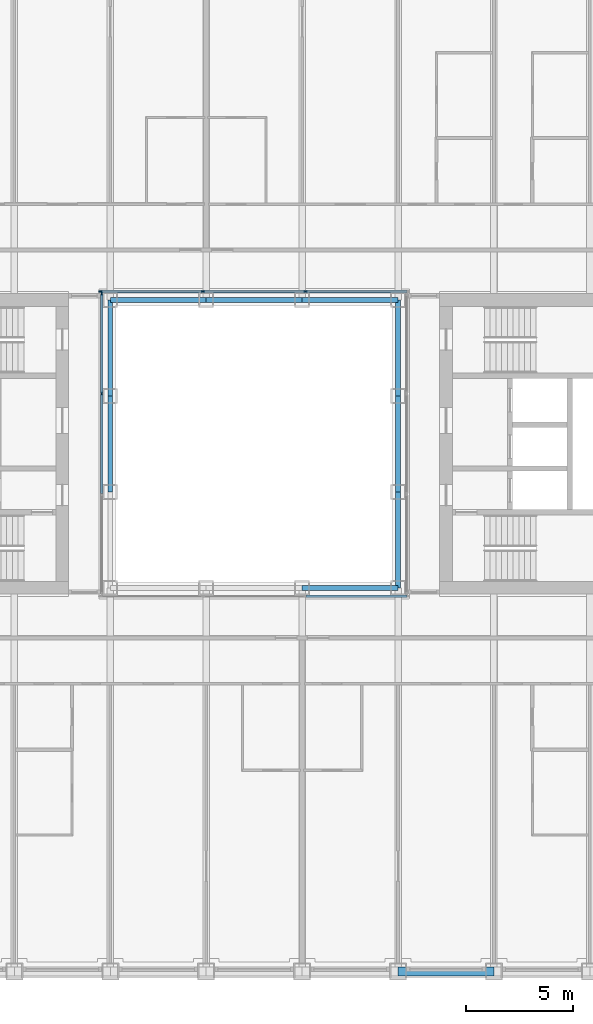
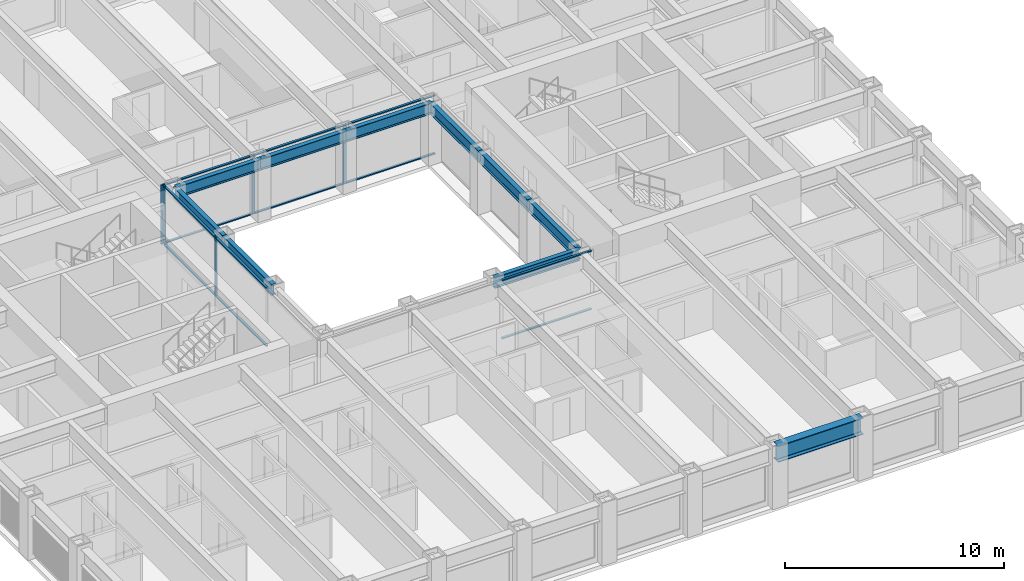
# One storey, part 4 of 21: 17 members, 10 beams, 3 elements without a shape of their own.
"""IFC4 building model written with IfcOpenShell, lengths in metres."""

from ifc_helpers import new_model, si_unit, direction, frame, origin, origin_2d, place, context, subcontext, project, spatial, rectangle, i_section, extrude, material, material_profile, profile_set, type_object, element, aggregate, save


model = new_model("IFC4")

# Units and contexts
model_context = context("Model", 3, precision=1e-05, world=origin(), true_north=direction((0.0, 1.0)))
body_context = subcontext(model_context, "Body", "Model", "MODEL_VIEW")
ifc_project = project(units=[si_unit("LENGTHUNIT", "METRE"), si_unit("AREAUNIT", "SQUARE_METRE"), si_unit("VOLUMEUNIT", "CUBIC_METRE"), si_unit("PLANEANGLEUNIT", "RADIAN"), si_unit("MASSUNIT", "GRAM", prefix="KILO")], contexts=[model_context])

# Site, building, storey
site_placement = place(None, origin())
site = spatial("IfcSite", under=ifc_project, at=site_placement, CompositionType="ELEMENT")
building_placement = place(site_placement, origin())
building = spatial("IfcBuilding", under=site, at=building_placement, Name="Msasa Ring Tower", CompositionType="ELEMENT")
storey_placement = place(building_placement, frame((0.0, 0.0, 82.5)))
storey = spatial("IfcBuildingStorey", under=building, at=storey_placement, Name="L21", CompositionType="ELEMENT", Elevation=82.5)

# Curtain wall, members
ifc_material_1 = material(Name="Aluminium curtain wall with clear glass", Category="aluminium")
curtain_wall_type = type_object("IfcCurtainWallType", Name="CW-W LIGHT WELL CURTAIN WALL", PredefinedType="NOTDEFINED", material=ifc_material_1)
curtain_wall_1_placement = place(storey_placement, origin())
curtain_wall_1 = element("IfcCurtainWall", 1, at=curtain_wall_1_placement, inside=storey, type_object=curtain_wall_type, Name="Light well curtain wall N L21", PredefinedType="NOTDEFINED")
ifc_material_2 = material(Name="Aluminium mullion", Category="aluminium")
ifc_material_profile_1 = material_profile(ifc_material_2, rectangle(XDim=0.06005859375, YDim=0.159912109375, at=origin_2d()), Name="AL 60x160")
ifc_profile_set_1 = profile_set([ifc_material_profile_1], Name="Aluminium mullion")
member_type_1 = type_object("IfcMemberType", Name="CW-W MULLION 60x160", PredefinedType="MULLION", material=ifc_profile_set_1)
member_1_placement = place(storey_placement, frame((-7.199951171875, 7.14990234375, 0.0), z_axis=(0.0, 0.0, 1.0), x_axis=(0.0, 1.0, 0.0)))
member_1 = element("IfcMember", 2, at=member_1_placement, type_object=member_type_1, Name="CW-W mullion 1", PredefinedType="MULLION", context=body_context, shape_type="SweptSolid", body=[
    extrude(rectangle(XDim=0.06005859375, YDim=0.159912109375, at=origin_2d()), origin(), (0.0, 0.0, 1.0), 3.300048828125),
])
member_2_placement = place(storey_placement, frame((-2.409912109375, 7.14990234375, 0.0), z_axis=(0.0, 0.0, 1.0), x_axis=(0.0, 1.0, 0.0)))
member_2 = element("IfcMember", 3, at=member_2_placement, type_object=member_type_1, Name="CW-W mullion 2", PredefinedType="MULLION", context=body_context, shape_type="SweptSolid", body=[
    extrude(rectangle(XDim=0.06005859375, YDim=0.159912109375, at=origin_2d()), origin(), (0.0, 0.0, 1.0), 3.300048828125),
])
member_3_placement = place(storey_placement, frame((2.409912109375, 7.14990234375, 0.0), z_axis=(0.0, 0.0, 1.0), x_axis=(0.0, 1.0, 0.0)))
member_3 = element("IfcMember", 4, at=member_3_placement, type_object=member_type_1, Name="CW-W mullion 3", PredefinedType="MULLION", context=body_context, shape_type="SweptSolid", body=[
    extrude(rectangle(XDim=0.06005859375, YDim=0.159912109375, at=origin_2d()), origin(), (0.0, 0.0, 1.0), 3.300048828125),
])

curtain_wall_2_placement = place(storey_placement, origin())
curtain_wall_2 = element("IfcCurtainWall", 5, at=curtain_wall_2_placement, inside=storey, type_object=curtain_wall_type, Name="Light well curtain wall W L21", PredefinedType="NOTDEFINED")
member_4_placement = place(storey_placement, frame((-7.14990234375, 2.356689453125, 0.0), z_axis=(0.0, 0.0, 1.0), x_axis=(-1.0, 0.0, 0.0)))
member_4 = element("IfcMember", 6, at=member_4_placement, type_object=member_type_1, Name="CW-W mullion 3", PredefinedType="MULLION", context=body_context, shape_type="SweptSolid", body=[
    extrude(rectangle(XDim=0.06005859375, YDim=0.159912109375, at=origin_2d()), origin(), (0.0, 0.0, 1.0), 3.300048828125),
])
member_5_placement = place(storey_placement, frame((-7.14990234375, 7.0400390625, 0.0), z_axis=(0.0, 0.0, 1.0), x_axis=(-1.0, 0.0, 0.0)))
member_5 = element("IfcMember", 7, at=member_5_placement, type_object=member_type_1, Name="CW-W mullion 4", PredefinedType="MULLION", context=body_context, shape_type="SweptSolid", body=[
    extrude(rectangle(XDim=0.06005859375, YDim=0.159912109375, at=origin_2d()), origin(), (0.0, 0.0, 1.0), 3.300048828125),
])

# Member
ifc_material_3 = material(Name="Aluminium transom", Category="aluminium")
ifc_material_profile_2 = material_profile(ifc_material_3, rectangle(XDim=0.1201171875, YDim=0.06005859375, at=origin_2d()), Name="AL 60x120")
ifc_profile_set_2 = profile_set([ifc_material_profile_2], Name="Aluminium transom")
member_type_2 = type_object("IfcMemberType", Name="CW-W TRANSOM 60x120", PredefinedType="USERDEFINED", material=ifc_profile_set_2)
member_6_placement = place(storey_placement, frame((-7.169921875, 7.14990234375, 0.030029296875), z_axis=(1.0, 0.0, 0.0), x_axis=(0.0, 1.0, 0.0)))
member_6 = element("IfcMember", 8, at=member_6_placement, type_object=member_type_2, Name="CW-W transom 1.1", ObjectType="TRANSOM", PredefinedType="USERDEFINED", context=body_context, shape_type="SweptSolid", body=[
    extrude(rectangle(XDim=0.1201171875, YDim=0.06005859375, at=origin_2d()), origin(), (0.0, 0.0, 1.0), 4.72998046875),
])

member_7_placement = place(storey_placement, frame((-7.169921875, 7.14990234375, 3.27001953125), z_axis=(1.0, 0.0, 0.0), x_axis=(0.0, 1.0, 0.0)))
member_7 = element("IfcMember", 9, at=member_7_placement, type_object=member_type_2, Name="CW-W transom 1.2", ObjectType="TRANSOM", PredefinedType="USERDEFINED", context=body_context, shape_type="SweptSolid", body=[
    extrude(rectangle(XDim=0.1201171875, YDim=0.06005859375, at=origin_2d()), origin(), (0.0, 0.0, 1.0), 4.72998046875),
])

member_8_placement = place(storey_placement, frame((-2.3798828125, 7.14990234375, 0.030029296875), z_axis=(1.0, 0.0, 0.0), x_axis=(0.0, 1.0, 0.0)))
member_8 = element("IfcMember", 10, at=member_8_placement, type_object=member_type_2, Name="CW-W transom 2.1", ObjectType="TRANSOM", PredefinedType="USERDEFINED", context=body_context, shape_type="SweptSolid", body=[
    extrude(rectangle(XDim=0.1201171875, YDim=0.06005859375, at=origin_2d()), origin(), (0.0, 0.0, 1.0), 4.759765625),
])

member_9_placement = place(storey_placement, frame((-2.3798828125, 7.14990234375, 3.27001953125), z_axis=(1.0, 0.0, 0.0), x_axis=(0.0, 1.0, 0.0)))
member_9 = element("IfcMember", 11, at=member_9_placement, type_object=member_type_2, Name="CW-W transom 2.2", ObjectType="TRANSOM", PredefinedType="USERDEFINED", context=body_context, shape_type="SweptSolid", body=[
    extrude(rectangle(XDim=0.1201171875, YDim=0.06005859375, at=origin_2d()), origin(), (0.0, 0.0, 1.0), 4.759765625),
])

member_10_placement = place(storey_placement, frame((2.43994140625, 7.14990234375, 0.030029296875), z_axis=(1.0, 0.0, 0.0), x_axis=(0.0, 1.0, 0.0)))
member_10 = element("IfcMember", 12, at=member_10_placement, type_object=member_type_2, Name="CW-W transom 3.1", ObjectType="TRANSOM", PredefinedType="USERDEFINED", context=body_context, shape_type="SweptSolid", body=[
    extrude(rectangle(XDim=0.1201171875, YDim=0.06005859375, at=origin_2d()), origin(), (0.0, 0.0, 1.0), 4.72998046875),
])

member_11_placement = place(storey_placement, frame((2.43994140625, 7.14990234375, 3.27001953125), z_axis=(1.0, 0.0, 0.0), x_axis=(0.0, 1.0, 0.0)))
member_11 = element("IfcMember", 13, at=member_11_placement, type_object=member_type_2, Name="CW-W transom 3.2", ObjectType="TRANSOM", PredefinedType="USERDEFINED", context=body_context, shape_type="SweptSolid", body=[
    extrude(rectangle(XDim=0.1201171875, YDim=0.06005859375, at=origin_2d()), origin(), (0.0, 0.0, 1.0), 4.72998046875),
])

aggregate(curtain_wall_1, [member_1, member_2, member_3, member_6, member_7, member_8, member_9, member_10, member_11])

# Curtain wall, members
curtain_wall_3_placement = place(storey_placement, origin())
curtain_wall_3 = element("IfcCurtainWall", 14, at=curtain_wall_3_placement, inside=storey, type_object=curtain_wall_type, Name="Light well curtain wall S L21", PredefinedType="NOTDEFINED")
member_12_placement = place(storey_placement, frame((2.43994140625, -7.14990234375, 0.030029296875), z_axis=(1.0, 0.0, 0.0), x_axis=(0.0, 1.0, 0.0)))
member_12 = element("IfcMember", 15, at=member_12_placement, type_object=member_type_2, Name="CW-W transom 3.1", ObjectType="TRANSOM", PredefinedType="USERDEFINED", context=body_context, shape_type="SweptSolid", body=[
    extrude(rectangle(XDim=0.1201171875, YDim=0.06005859375, at=origin_2d()), origin(), (0.0, 0.0, 1.0), 4.72998046875),
])
member_13_placement = place(storey_placement, frame((2.43994140625, -7.14990234375, 3.27001953125), z_axis=(1.0, 0.0, 0.0), x_axis=(0.0, 1.0, 0.0)))
member_13 = element("IfcMember", 16, at=member_13_placement, type_object=member_type_2, Name="CW-W transom 3.2", ObjectType="TRANSOM", PredefinedType="USERDEFINED", context=body_context, shape_type="SweptSolid", body=[
    extrude(rectangle(XDim=0.1201171875, YDim=0.06005859375, at=origin_2d()), origin(), (0.0, 0.0, 1.0), 4.72998046875),
])
aggregate(curtain_wall_3, [member_12, member_13])

# Member
member_14_placement = place(storey_placement, frame((-7.14990234375, -2.32666015625, 0.030029296875), z_axis=(0.0, 1.0, 0.0), x_axis=(-1.0, 0.0, 0.0)))
member_14 = element("IfcMember", 17, at=member_14_placement, type_object=member_type_2, Name="CW-W transom 2.1", ObjectType="TRANSOM", PredefinedType="USERDEFINED", context=body_context, shape_type="SweptSolid", body=[
    extrude(rectangle(XDim=0.1201171875, YDim=0.06005859375, at=origin_2d()), origin(), (0.0, 0.0, 1.0), 4.6533203125),
])

member_15_placement = place(storey_placement, frame((-7.14990234375, -2.32666015625, 3.27001953125), z_axis=(0.0, 1.0, 0.0), x_axis=(-1.0, 0.0, 0.0)))
member_15 = element("IfcMember", 18, at=member_15_placement, type_object=member_type_2, Name="CW-W transom 2.2", ObjectType="TRANSOM", PredefinedType="USERDEFINED", context=body_context, shape_type="SweptSolid", body=[
    extrude(rectangle(XDim=0.1201171875, YDim=0.06005859375, at=origin_2d()), origin(), (0.0, 0.0, 1.0), 4.6533203125),
])

member_16_placement = place(storey_placement, frame((-7.14990234375, 2.38671875, 0.030029296875), z_axis=(0.0, 1.0, 0.0), x_axis=(-1.0, 0.0, 0.0)))
member_16 = element("IfcMember", 19, at=member_16_placement, type_object=member_type_2, Name="CW-W transom 3.1", ObjectType="TRANSOM", PredefinedType="USERDEFINED", context=body_context, shape_type="SweptSolid", body=[
    extrude(rectangle(XDim=0.1201171875, YDim=0.06005859375, at=origin_2d()), origin(), (0.0, 0.0, 1.0), 4.623291015625),
])

member_17_placement = place(storey_placement, frame((-7.14990234375, 2.38671875, 3.27001953125), z_axis=(0.0, 1.0, 0.0), x_axis=(-1.0, 0.0, 0.0)))
member_17 = element("IfcMember", 20, at=member_17_placement, type_object=member_type_2, Name="CW-W transom 3.2", ObjectType="TRANSOM", PredefinedType="USERDEFINED", context=body_context, shape_type="SweptSolid", body=[
    extrude(rectangle(XDim=0.1201171875, YDim=0.06005859375, at=origin_2d()), origin(), (0.0, 0.0, 1.0), 4.623291015625),
])

aggregate(curtain_wall_2, [member_4, member_5, member_14, member_15, member_16, member_17])

# Beams
ifc_material_4 = material(Name="Steel S355", Category="steel")
ifc_material_profile_3 = material_profile(ifc_material_4, i_section(OverallWidth=0.230224609375, OverallDepth=0.6171875, WebThickness=0.01318359375, FlangeThickness=0.022216796875, FilletRadius=0.0126953125, at=origin_2d()), Name="UB 610x229x140")
ifc_profile_set_3 = profile_set([ifc_material_profile_3], Name="Steel S355")
beam_type_1 = type_object("IfcBeamType", Name="RB1 UB 610x229x140", PredefinedType="BEAM", material=ifc_profile_set_3)
for number, where, z_axis, x_axis, name in (
    (21, (2.25, -6.75, 2.991455078125), (1.0, 0.0, 0.0), (0.0, 1.0, 0.0), "Inner ring beam IR+2.25-6.75 under L22"),
    (22, (6.75, -6.75, 2.991455078125), (0.0, 1.0, 0.0), (-1.0, 0.0, 0.0), "Inner ring beam IR+6.75-6.75 under L22"),
    (23, (6.75, -2.25, 2.991455078125), (0.0, 1.0, 0.0), (-1.0, 0.0, 0.0), "Inner ring beam IR+6.75-2.25 under L22"),
    (24, (6.75, 2.25, 2.991455078125), (0.0, 1.0, 0.0), (-1.0, 0.0, 0.0), "Inner ring beam IR+6.75+2.25 under L22"),
    (25, (6.75, 6.75, 2.991455078125), (-1.0, 0.0, 0.0), (0.0, -1.0, 0.0), "Inner ring beam IR+6.75+6.75 under L22"),
    (26, (2.25, 6.75, 2.991455078125), (-1.0, 0.0, 0.0), (0.0, -1.0, 0.0), "Inner ring beam IR+2.25+6.75 under L22"),
    (27, (-2.25, 6.75, 2.991455078125), (-1.0, 0.0, 0.0), (0.0, -1.0, 0.0), "Inner ring beam IR-2.25+6.75 under L22"),
    (28, (-6.75, 6.75, 2.991455078125), (0.0, -1.0, 0.0), (1.0, 0.0, 0.0), "Inner ring beam IR-6.75+6.75 under L22"),
    (29, (-6.75, 2.25, 2.991455078125), (0.0, -1.0, 0.0), (1.0, 0.0, 0.0), "Inner ring beam IR-6.75+2.25 under L22"),
):
    element("IfcBeam", number, at=place(storey_placement, frame(where, z_axis=z_axis, x_axis=x_axis)), inside=storey, type_object=beam_type_1, Name=name, PredefinedType="BEAM", context=body_context, shape_type="SweptSolid", body=[
        extrude(i_section(OverallWidth=0.230224609375, OverallDepth=0.6171875, WebThickness=0.01318359375, FlangeThickness=0.022216796875, FilletRadius=0.0126953125, at=origin_2d()), origin(), (0.0, 0.0, 1.0), 4.5),
    ])
ifc_material_5 = material(Name="Steel S355", Category="steel")
ifc_material_profile_4 = material_profile(ifc_material_5, i_section(OverallWidth=0.42041015625, OverallDepth=0.9208984375, WebThickness=0.021484375, FlangeThickness=0.03662109375, FilletRadius=0.024169921875, at=origin_2d()), Name="UB 914x419x388")
ifc_profile_set_4 = profile_set([ifc_material_profile_4], Name="Steel S355")
beam_type_2 = type_object("IfcBeamType", Name="SB1 UB 914x419x388", PredefinedType="SPANDREL", material=ifc_profile_set_4)
beam_placement = place(storey_placement, frame((6.75, -24.75, 2.839599609375), z_axis=(1.0, 0.0, 0.0), x_axis=(0.0, 1.0, 0.0)))
element("IfcBeam", 30, at=beam_placement, inside=storey, type_object=beam_type_2, Name="Spandrel S+6.75 to S+11.25 under L22", PredefinedType="SPANDREL", context=body_context, shape_type="SweptSolid", body=[
    extrude(i_section(OverallWidth=0.42041015625, OverallDepth=0.9208984375, WebThickness=0.021484375, FlangeThickness=0.03662109375, FilletRadius=0.024169921875, at=origin_2d()), origin(), (0.0, 0.0, 1.0), 4.5),
])

save(model, "model.ifc")
